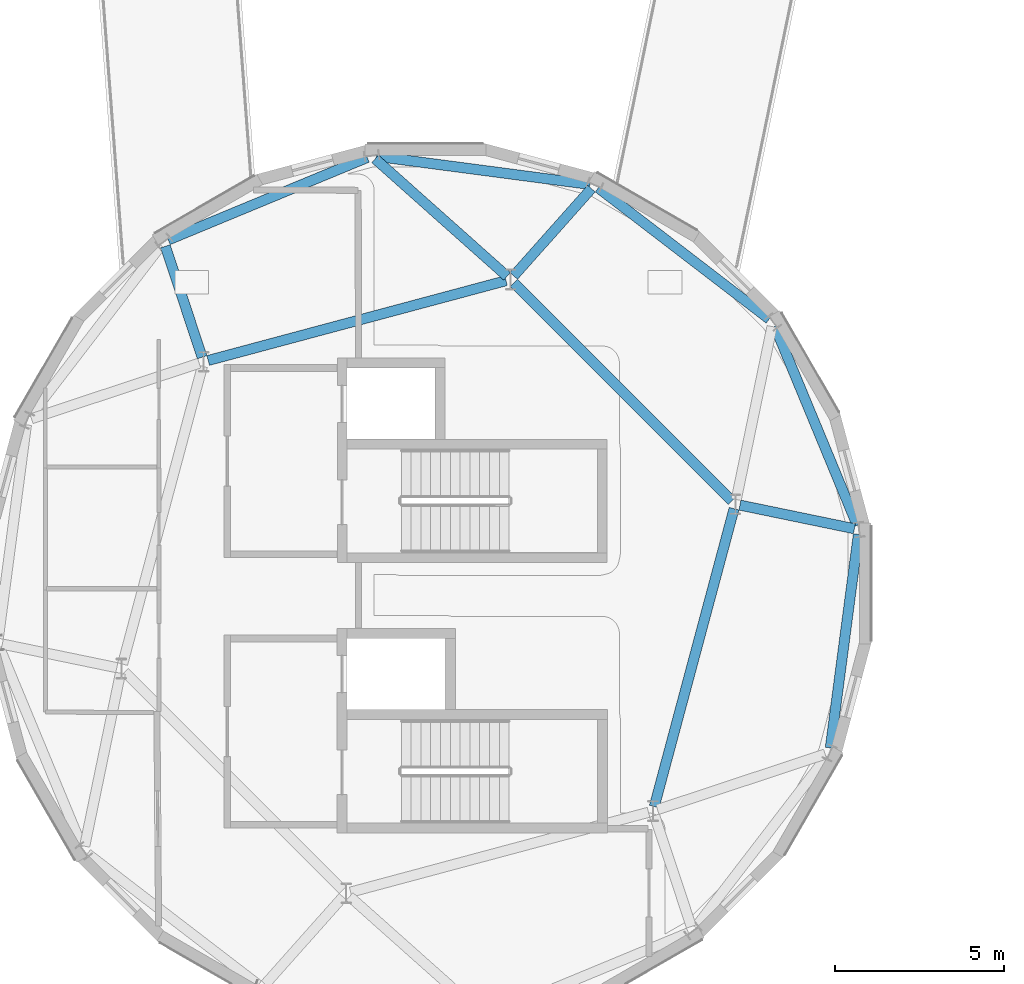
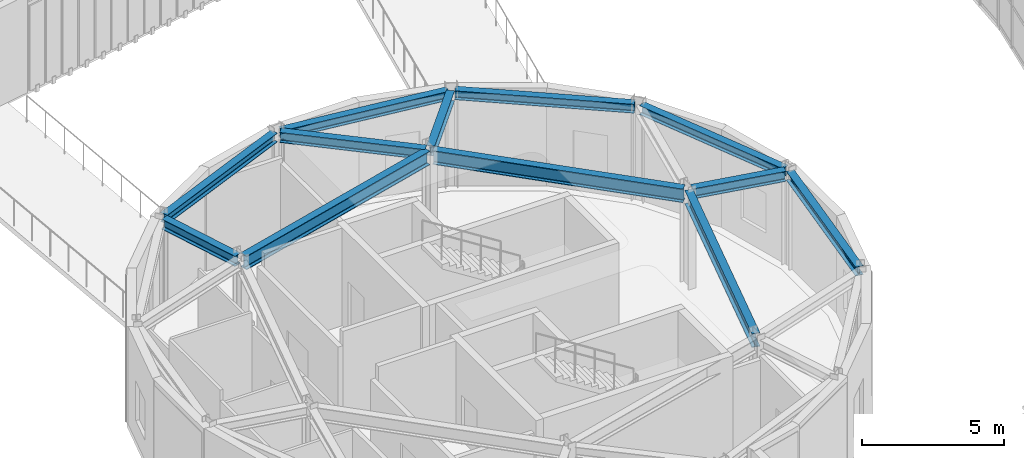
# One storey, part 33 of 103: 12 beams.
"""IFC4 building model written with IfcOpenShell, lengths in metres."""

from ifc_helpers import new_model, si_unit, direction, frame, origin, origin_2d, place, context, subcontext, project, spatial, i_section, extrude, material, material_profile, profile_set, type_object, element, save


model = new_model("IFC4")

# Units and contexts
model_context = context("Model", 3, precision=1e-05, world=origin(), true_north=direction((0.0, 1.0)))
body_context = subcontext(model_context, "Body", "Model", "MODEL_VIEW")
ifc_project = project(units=[si_unit("LENGTHUNIT", "METRE"), si_unit("AREAUNIT", "SQUARE_METRE"), si_unit("VOLUMEUNIT", "CUBIC_METRE"), si_unit("PLANEANGLEUNIT", "RADIAN"), si_unit("MASSUNIT", "GRAM", prefix="KILO")], contexts=[model_context])

# Site, building, storey
site_placement = place(None, origin())
site = spatial("IfcSite", under=ifc_project, at=site_placement, CompositionType="ELEMENT")
building_placement = place(site_placement, origin())
building = spatial("IfcBuilding", under=site, at=building_placement, Name="Varnklinge Art Gallery", CompositionType="ELEMENT")
storey_placement = place(building_placement, frame((0.0, 0.0, 5.10009765625)))
storey = spatial("IfcBuildingStorey", under=building, at=storey_placement, Name="L01", CompositionType="ELEMENT", Elevation=5.10009765625)

# Beams
ifc_material_1 = material(Name="Steel S355", Category="steel")
ifc_material_profile_1 = material_profile(ifc_material_1, i_section(OverallWidth=0.300048828125, OverallDepth=0.590087890625, WebThickness=0.012939453125, FlangeThickness=0.02490234375, FilletRadius=0.027099609375, at=origin_2d()), Name="HEA 600")
ifc_profile_set_1 = profile_set([ifc_material_profile_1], Name="Steel S355")
beam_type_1 = type_object("IfcBeamType", Name="BM-06", PredefinedType="BEAM", material=ifc_profile_set_1)
beam_1_placement = place(storey_placement, frame((84.480712890625, 41.031982421875, 3.90478515625), z_axis=(-0.707106781187, 0.707106781187, 0.0), x_axis=(-0.707106781187, -0.707106781187, 0.0)))
element("IfcBeam", 1, at=beam_1_placement, inside=storey, type_object=beam_type_1, Name="L01 BM-06 BM-V4D-L02-I1", PredefinedType="BEAM", context=body_context, shape_type="SweptSolid", body=[
    extrude(i_section(OverallWidth=0.300048828125, OverallDepth=0.590087890625, WebThickness=0.012939453125, FlangeThickness=0.02490234375, FilletRadius=0.027099609375, at=origin_2d()), origin(), (0.0, 0.0, 1.0), 9.119873046875),
])
for number, where, z_axis, x_axis, name in (
    (2, (77.797607421875, 47.54345703125, 3.90478515625), (-0.965928574877, -0.258808787016, 0.0), (0.258808787016, -0.965928574877, 0.0), "L01 BM-06 BM-V4D-L02-I2"),
    (3, (82.18310546875, 31.98828125, 3.90478515625), (0.258808787016, 0.965928574877, 0.0), (-0.965928574877, 0.258808787016, 0.0), "L01 BM-06 BM-V4D-L02-I6"),
):
    element("IfcBeam", number, at=place(storey_placement, frame(where, z_axis=z_axis, x_axis=x_axis)), inside=storey, type_object=beam_type_1, Name=name, PredefinedType="BEAM", context=body_context, shape_type="SweptSolid", body=[
        extrude(i_section(OverallWidth=0.300048828125, OverallDepth=0.590087890625, WebThickness=0.012939453125, FlangeThickness=0.02490234375, FilletRadius=0.027099609375, at=origin_2d()), origin(), (0.0, 0.0, 1.0), 9.1201171875),
    ])
ifc_material_2 = material(Name="Steel S355", Category="steel")
ifc_material_profile_2 = material_profile(ifc_material_2, i_section(OverallWidth=0.300048828125, OverallDepth=0.43994140625, WebThickness=0.011474609375, FlangeThickness=0.02099609375, FilletRadius=0.027099609375, at=origin_2d()), Name="HEA 450")
ifc_profile_set_2 = profile_set([ifc_material_profile_2], Name="Steel S355")
beam_type_2 = type_object("IfcBeamType", Name="BM-08", PredefinedType="BEAM", material=ifc_profile_set_2)
beam_2_placement = place(storey_placement, frame((84.716796875, 40.904541015625, 3.97998046875), z_axis=(0.979353549328, -0.202154953982, 0.0), x_axis=(0.202154953982, 0.979353549328, 0.0)))
element("IfcBeam", 4, at=beam_2_placement, inside=storey, type_object=beam_type_2, Name="L01 BM-08 BM-V4D-L02-R01", PredefinedType="BEAM", context=body_context, shape_type="SweptSolid", body=[
    extrude(i_section(OverallWidth=0.300048828125, OverallDepth=0.43994140625, WebThickness=0.011474609375, FlangeThickness=0.02099609375, FilletRadius=0.027099609375, at=origin_2d()), origin(), (0.0, 0.0, 1.0), 3.45751953125),
])
beam_3_placement = place(storey_placement, frame((78.02587890625, 47.684326171875, 3.97998046875), z_axis=(0.664780083084, 0.747039116201, 0.0), x_axis=(-0.747039116201, 0.664780083084, 0.0)))
element("IfcBeam", 5, at=beam_3_placement, inside=storey, type_object=beam_type_2, Name="L01 BM-08 BM-V4D-L02-R03", PredefinedType="BEAM", context=body_context, shape_type="SweptSolid", body=[
    extrude(i_section(OverallWidth=0.300048828125, OverallDepth=0.43994140625, WebThickness=0.011474609375, FlangeThickness=0.02099609375, FilletRadius=0.027099609375, at=origin_2d()), origin(), (0.0, 0.0, 1.0), 3.457763671875),
])
beam_4_placement = place(storey_placement, frame((77.828369140625, 47.6728515625, 3.97998046875), z_axis=(-0.746795307155, 0.665053959623, 0.0), x_axis=(-0.665053959623, -0.746795307155, 0.0)))
element("IfcBeam", 6, at=beam_4_placement, inside=storey, type_object=beam_type_2, Name="L01 BM-08 BM-V4D-L02-R04", PredefinedType="BEAM", context=body_context, shape_type="SweptSolid", body=[
    extrude(i_section(OverallWidth=0.300048828125, OverallDepth=0.43994140625, WebThickness=0.011474609375, FlangeThickness=0.02099609375, FilletRadius=0.027099609375, at=origin_2d()), origin(), (0.0, 0.0, 1.0), 5.223876953125),
])
beam_5_placement = place(storey_placement, frame((68.80908203125, 45.27978515625, 3.97998046875), z_axis=(-0.314574973389, 0.949232630137, 0.0), x_axis=(-0.949232630137, -0.314574973389, 0.0)))
element("IfcBeam", 7, at=beam_5_placement, inside=storey, type_object=beam_type_2, Name="L01 BM-08 BM-V4D-L02-R05", PredefinedType="BEAM", context=body_context, shape_type="SweptSolid", body=[
    extrude(i_section(OverallWidth=0.300048828125, OverallDepth=0.43994140625, WebThickness=0.011474609375, FlangeThickness=0.02099609375, FilletRadius=0.027099609375, at=origin_2d()), origin(), (0.0, 0.0, 1.0), 3.45751953125),
])
ifc_material_3 = material(Name="Steel S355", Category="steel")
ifc_material_profile_3 = material_profile(ifc_material_3, i_section(OverallWidth=0.300048828125, OverallDepth=0.389892578125, WebThickness=0.010986328125, FlangeThickness=0.01904296875, FilletRadius=0.027099609375, at=origin_2d()), Name="HEA 400")
ifc_profile_set_3 = profile_set([ifc_material_profile_3], Name="Steel S355")
beam_type_3 = type_object("IfcBeamType", Name="SPB-03", PredefinedType="SPANDREL", material=ifc_profile_set_3)
for number, where, z_axis, x_axis, name in (
    (8, (88.1865234375, 40.306640625, 4.0048828125), (-0.382666510137, 0.923886541746, 0.0), (-0.923886541746, -0.382666510137, 0.0), "L01 SPB-03 BM-V4D-L02-P01"),
    (9, (85.58349609375, 46.40771484375, 4.0048828125), (-0.793344185287, 0.608773359857, 0.0), (-0.608773359857, -0.793344185287, 0.0), "L01 SPB-03 BM-V4D-L02-P02"),
):
    element("IfcBeam", number, at=place(storey_placement, frame(where, z_axis=z_axis, x_axis=x_axis)), inside=storey, type_object=beam_type_3, Name=name, PredefinedType="SPANDREL", context=body_context, shape_type="SweptSolid", body=[
        extrude(i_section(OverallWidth=0.300048828125, OverallDepth=0.389892578125, WebThickness=0.010986328125, FlangeThickness=0.01904296875, FilletRadius=0.027099609375, at=origin_2d()), origin(), (0.0, 0.0, 1.0), 6.37158203125),
    ])
beam_6_placement = place(storey_placement, frame((80.27880859375, 50.39013671875, 4.0048828125), z_axis=(-0.991448034575, 0.130502087099, 0.0), x_axis=(-0.130502087099, -0.991448034575, 0.0)))
element("IfcBeam", 10, at=beam_6_placement, inside=storey, type_object=beam_type_3, Name="L01 SPB-03 BM-V4D-L02-P03", PredefinedType="SPANDREL", context=body_context, shape_type="SweptSolid", body=[
    extrude(i_section(OverallWidth=0.300048828125, OverallDepth=0.389892578125, WebThickness=0.010986328125, FlangeThickness=0.01904296875, FilletRadius=0.027099609375, at=origin_2d()), origin(), (0.0, 0.0, 1.0), 6.371826171875),
])
beam_7_placement = place(storey_placement, frame((73.693359375, 51.1865234375, 4.0048828125), z_axis=(-0.923886541746, -0.382666510137, 0.0), x_axis=(0.382666510137, -0.923886541746, 0.0)))
element("IfcBeam", 11, at=beam_7_placement, inside=storey, type_object=beam_type_3, Name="L01 SPB-03 BM-V4D-L02-P04", PredefinedType="SPANDREL", context=body_context, shape_type="SweptSolid", body=[
    extrude(i_section(OverallWidth=0.300048828125, OverallDepth=0.389892578125, WebThickness=0.010986328125, FlangeThickness=0.01904296875, FilletRadius=0.027099609375, at=origin_2d()), origin(), (0.0, 0.0, 1.0), 6.37158203125),
])
beam_8_placement = place(storey_placement, frame((87.39013671875, 33.72119140625, 4.0048828125), z_axis=(0.130502087099, 0.991448034575, 0.0), x_axis=(-0.991448034575, 0.130502087099, 0.0)))
element("IfcBeam", 12, at=beam_8_placement, inside=storey, type_object=beam_type_3, Name="L01 SPB-03 BM-V4D-L02-P12", PredefinedType="SPANDREL", context=body_context, shape_type="SweptSolid", body=[
    extrude(i_section(OverallWidth=0.300048828125, OverallDepth=0.389892578125, WebThickness=0.010986328125, FlangeThickness=0.01904296875, FilletRadius=0.027099609375, at=origin_2d()), origin(), (0.0, 0.0, 1.0), 6.371826171875),
])

save(model, "model.ifc")
